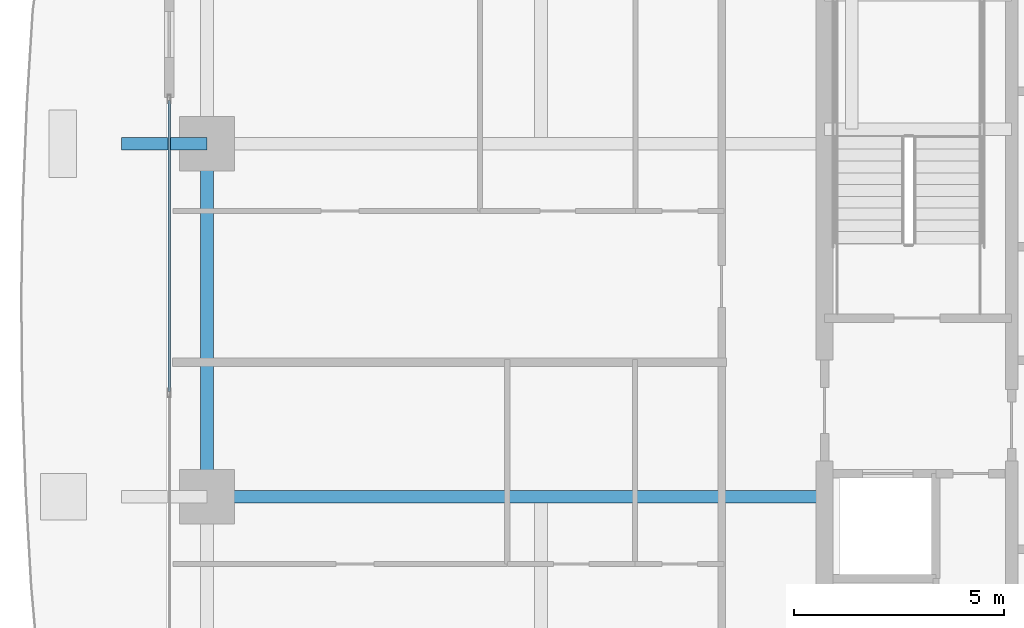
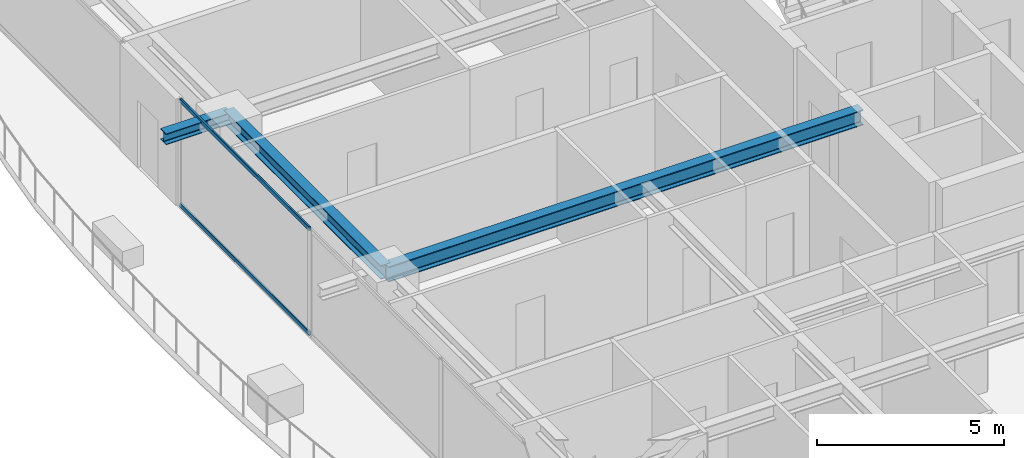
# One storey, part 9 of 37: 3 beams, 2 members, 1 element without a shape of its own.
"""IFC4 building model written with IfcOpenShell, lengths in metres."""

import ifcopenshell
import ifcopenshell.guid

model = None  # the IFC model being written
_history = None  # IfcOwnerHistory: only IFC2X3 demands one
_inside = {}  # id of a spatial element -> (the spatial element, [elements in it])
_under = {}  # id of a project, library or spatial element -> (it, [spatial elements below it])
_declared = {}  # id of a project -> (the project, [libraries it declares])
_typed = {}  # id of a type object -> (the type object, [elements of that type])
_made_of = {}  # id of a material, layer set ... -> (it, [elements and type objects made of it])


def new_model(schema):
    """Start an empty IFC model of exactly this schema.

    Asked for "IFC4X3", IfcOpenShell would pick the latest addendum, in which some entities
    have other attributes; the version numbers below select the first issue.
    IFC2X3 requires an IfcOwnerHistory on every rooted entity: one is made here for all.
    """
    global model, _history
    if schema == "IFC4X3":
        model = ifcopenshell.file(schema_version=(4, 3, 0, 0))
    else:
        model = ifcopenshell.file(schema=schema)
    _inside.clear()
    _under.clear()
    _declared.clear()
    _typed.clear()
    _made_of.clear()
    _history = None
    if model.schema == "IFC2X3":
        org = make("IfcOrganization", Name="unknown")
        user = make(
            "IfcPersonAndOrganization",
            ThePerson=make("IfcPerson", FamilyName="unknown"),
            TheOrganization=org,
        )
        app = make(
            "IfcApplication",
            ApplicationDeveloper=org,
            Version="unknown",
            ApplicationFullName="unknown",
            ApplicationIdentifier="unknown",
        )
        _history = make(
            "IfcOwnerHistory",
            OwningUser=user,
            OwningApplication=app,
            ChangeAction="ADDED",
            CreationDate=0,
        )
    return model


def make(cls, **values):
    """One entity of the class cls with the attributes given. An attribute that is None is left unset."""
    return model.create_entity(
        cls, **{name: value for name, value in values.items() if value is not None}
    )


def rooted(cls, **values):
    """An entity with a GlobalId (a new one), such as an element, a storey or a relation."""
    return make(cls, GlobalId=ifcopenshell.guid.new(), OwnerHistory=_history, **values)


def si_unit(unit_type, name, prefix=None):
    """IfcSIUnit, for example si_unit("LENGTHUNIT", "METRE", prefix="MILLI")."""
    return make("IfcSIUnit", UnitType=unit_type, Prefix=prefix, Name=name)


def assignment(units):
    """IfcUnitAssignment: the units of a project."""
    return None if units is None else make("IfcUnitAssignment", Units=units)


def point(xyz):
    """IfcCartesianPoint."""
    return None if xyz is None else make("IfcCartesianPoint", Coordinates=xyz)


def direction(xyz):
    """IfcDirection."""
    return None if xyz is None else make("IfcDirection", DirectionRatios=xyz)


def frame(location, z_axis=None, x_axis=None):
    """IfcAxis2Placement3D, a coordinate frame: its origin and axes. An axis left out is left unset."""
    return make(
        "IfcAxis2Placement3D",
        Location=point(location),
        Axis=direction(z_axis),
        RefDirection=direction(x_axis),
    )


def frame_2d(location, x_axis=None):
    """IfcAxis2Placement2D, a coordinate frame in the plane: its origin and x axis."""
    return make(
        "IfcAxis2Placement2D", Location=point(location), RefDirection=direction(x_axis)
    )


def origin():
    """The frame at (0, 0, 0) with its axes left unset."""
    return frame((0.0, 0.0, 0.0))


def origin_2d():
    """The frame at (0, 0) in the plane with its x axis left unset."""
    return frame_2d((0.0, 0.0))


def place(relative_to, where):
    """IfcLocalPlacement: puts the frame where relative to a parent placement (None: the world)."""
    return make(
        "IfcLocalPlacement", PlacementRelTo=relative_to, RelativePlacement=where
    )


def context(
    kind, dimensions, precision=None, world=None, true_north=None, identifier=None
):
    """IfcGeometricRepresentationContext, for example the 3D "Model" context."""
    return make(
        "IfcGeometricRepresentationContext",
        ContextIdentifier=identifier,
        ContextType=kind,
        CoordinateSpaceDimension=dimensions,
        Precision=precision,
        WorldCoordinateSystem=world,
        TrueNorth=true_north,
    )


def subcontext(parent, identifier, kind, view, scale=None):
    """IfcGeometricRepresentationSubContext, for example "Body" below "Model"."""
    return make(
        "IfcGeometricRepresentationSubContext",
        ContextIdentifier=identifier,
        ContextType=kind,
        ParentContext=parent,
        TargetScale=scale,
        TargetView=view,
    )


def project(units=None, contexts=None):
    """IfcProject with its units and contexts."""
    return rooted(
        "IfcProject",
        Name="project",
        RepresentationContexts=contexts,
        UnitsInContext=assignment(units),
    )


def spatial(cls, under=None, at=None, **own):
    """A site, building, storey or space (cls), placed at a placement, below another one or the project."""
    s = rooted(cls, ObjectPlacement=at, **own)
    if under is not None:
        _under.setdefault(under.id(), (under, []))[1].append(s)
    return s


def profile(cls, at=None, kind="AREA", **sizes):
    """A parametric profile (cls). Its sizes go by their IFC names, for example OverallWidth=200.0."""
    return make(cls, ProfileType=kind, Position=at, **sizes)


def hollow_rectangle(**sizes):
    """IfcRectangleHollowProfileDef."""
    return profile("IfcRectangleHollowProfileDef", **sizes)


def i_section(**sizes):
    """IfcIShapeProfileDef."""
    return profile("IfcIShapeProfileDef", **sizes)


def extrude(swept, where, along, depth):
    """IfcExtrudedAreaSolid: the profile swept, set in the frame where, extruded along a direction by depth."""
    return make(
        "IfcExtrudedAreaSolid",
        SweptArea=swept,
        Position=where,
        ExtrudedDirection=direction(along),
        Depth=depth,
    )


def shape(context_of_items, identifier, shape_type, items):
    """IfcShapeRepresentation: the items that make up one representation, for example the "Body"."""
    return make(
        "IfcShapeRepresentation",
        ContextOfItems=context_of_items,
        RepresentationIdentifier=identifier,
        RepresentationType=shape_type,
        Items=items,
    )


def source(mapping_origin, context_of_items, identifier, shape_type, items):
    """IfcRepresentationMap: a shape defined once, which mapped items show again and again."""
    return make(
        "IfcRepresentationMap",
        MappingOrigin=mapping_origin,
        MappedRepresentation=shape(context_of_items, identifier, shape_type, items),
    )


def transform(
    local_origin,
    x_axis=None,
    y_axis=None,
    z_axis=None,
    scale=None,
    scale2=None,
    scale3=None,
    uniform=True,
):
    """IfcCartesianTransformationOperator3D, or its non-uniform kind. x_axis, y_axis, z_axis: its Axis1, 2, 3."""
    if uniform:
        return make(
            "IfcCartesianTransformationOperator3D",
            Axis1=direction(x_axis),
            Axis2=direction(y_axis),
            LocalOrigin=point(local_origin),
            Scale=scale,
            Axis3=direction(z_axis),
        )
    return make(
        "IfcCartesianTransformationOperator3DnonUniform",
        Axis1=direction(x_axis),
        Axis2=direction(y_axis),
        LocalOrigin=point(local_origin),
        Scale=scale,
        Axis3=direction(z_axis),
        Scale2=scale2,
        Scale3=scale3,
    )


def mapped(mapping_source, mapping_target):
    """IfcMappedItem: shows the shape of a source again, moved by a transform."""
    return make(
        "IfcMappedItem", MappingSource=mapping_source, MappingTarget=mapping_target
    )


def material(Name=None, Category=None):
    """IfcMaterial."""
    return make("IfcMaterial", Name=Name, Category=Category)


def layer(
    of_material, thickness, ventilated=None, Name=None, Category=None, Priority=None
):
    """IfcMaterialLayer: one layer of a wall or slab, of a material (None: an air gap)."""
    return make(
        "IfcMaterialLayer",
        Material=of_material,
        LayerThickness=thickness,
        IsVentilated=ventilated,
        Name=Name,
        Category=Category,
        Priority=Priority,
    )


def layer_set(layers, Name=None):
    """IfcMaterialLayerSet."""
    return make("IfcMaterialLayerSet", MaterialLayers=layers, LayerSetName=Name)


def material_profile(
    of_material, cross_section, Name=None, Category=None, Priority=None
):
    """IfcMaterialProfile: a cross section and its material."""
    return make(
        "IfcMaterialProfile",
        Name=Name,
        Material=of_material,
        Profile=cross_section,
        Priority=Priority,
        Category=Category,
    )


def profile_set(profiles, Name=None, composite=None):
    """IfcMaterialProfileSet."""
    return make(
        "IfcMaterialProfileSet",
        Name=Name,
        MaterialProfiles=profiles,
        CompositeProfile=composite,
    )


def made_of(thing, what):
    """Note that an element or type object is made of a material, layer set ...; save() writes the relation."""
    if what is not None:
        _made_of.setdefault(what.id(), (what, []))[1].append(thing)
    return thing


def type_object(cls, material=None, **own):
    """A type object (cls), such as IfcWallType, which elements share."""
    return made_of(rooted(cls, **own), material)


def element(
    cls,
    number,
    at=None,
    inside=None,
    cuts=None,
    type_object=None,
    material=None,
    context=None,
    identifier="Body",
    shape_type=None,
    held_by="IfcProductDefinitionShape",
    body=None,
    shapes=None,
    **own,
):
    """One element of the class cls, such as IfcWall. Its Tag is "e" and its number.

    at: its placement. inside: the storey or other place that contains it. cuts: it is an
    opening in that element (IfcRelVoidsElement). A single representation is given by context,
    identifier, shape_type and body (its items); several are given by shapes. held_by: the class
    of the entity that holds the representations. save() writes the other relations.
    """
    e = rooted(cls, Tag="e%d" % number, ObjectPlacement=at, **own)
    if body is not None:
        shapes = [shape(context, identifier, shape_type, body)]
    if shapes is not None:
        e.Representation = make(held_by, Representations=shapes)
    if inside is not None:
        _inside.setdefault(inside.id(), (inside, []))[1].append(e)
    if cuts is not None:
        rooted(
            "IfcRelVoidsElement", RelatingBuildingElement=cuts, RelatedOpeningElement=e
        )
    if type_object is not None:
        _typed.setdefault(type_object.id(), (type_object, []))[1].append(e)
    return made_of(e, material)


def aggregate(whole, parts):
    """IfcRelAggregates: a whole, such as a stair, and the parts it consists of."""
    return rooted("IfcRelAggregates", RelatingObject=whole, RelatedObjects=parts)


def save(model, path):
    """Write the relations noted so far, then the file.

    IfcRelAggregates (storeys below a building ...), IfcRelContainedInSpatialStructure (elements
    in a storey), IfcRelDefinesByType, IfcRelAssociatesMaterial and IfcRelDeclares: one each for
    every whole, place, type object, material and project.
    """
    for whole, parts in _under.values():
        aggregate(whole, parts)
    for where, things in _inside.values():
        rooted(
            "IfcRelContainedInSpatialStructure",
            RelatedElements=things,
            RelatingStructure=where,
        )
    for kind, things in _typed.values():
        rooted("IfcRelDefinesByType", RelatedObjects=things, RelatingType=kind)
    for what, things in _made_of.values():
        rooted("IfcRelAssociatesMaterial", RelatedObjects=things, RelatingMaterial=what)
    for by, libraries in _declared.values():
        rooted("IfcRelDeclares", RelatingContext=by, RelatedDefinitions=libraries)
    model.write(path)


model = new_model("IFC4")

# Units and contexts
model_context = context("Model", 3, precision=1e-05, world=origin(), true_north=direction((0.0, 1.0)))
body_context = subcontext(model_context, "Body", "Model", "MODEL_VIEW")
ifc_project = project(units=[si_unit("LENGTHUNIT", "METRE"), si_unit("AREAUNIT", "SQUARE_METRE"), si_unit("VOLUMEUNIT", "CUBIC_METRE"), si_unit("PLANEANGLEUNIT", "RADIAN"), si_unit("MASSUNIT", "GRAM", prefix="KILO")], contexts=[model_context])

# Site, building, storey
site_placement = place(None, origin())
site = spatial("IfcSite", under=ifc_project, at=site_placement, CompositionType="ELEMENT")
building_placement = place(site_placement, origin())
building = spatial("IfcBuilding", under=site, at=building_placement, Name="Serunith Strait Residences", CompositionType="ELEMENT")
storey_placement = place(building_placement, frame((0.0, 0.0, 127.64990234375)))
storey = spatial("IfcBuildingStorey", under=building, at=storey_placement, Name="L31", CompositionType="ELEMENT", Elevation=127.64990234375)

# Beams
ifc_material_1 = material(Name="Steel S355J2", Category="steel")
ifc_material_profile_1 = material_profile(ifc_material_1, i_section(OverallWidth=0.300048828125, OverallDepth=0.449951171875, WebThickness=0.013916015625, FlangeThickness=0.02587890625, FilletRadius=0.027099609375, at=origin_2d()), Name="HEB 450")
ifc_profile_set_1 = profile_set([ifc_material_profile_1], Name="Steel S355J2")
beam_type_1 = type_object("IfcBeamType", Name="BM-HEB450", PredefinedType="BEAM", material=ifc_profile_set_1)
shared_shape_1 = source(origin(), body_context, "Body", "SweptSolid", [
    extrude(i_section(OverallWidth=0.300048828125, OverallDepth=0.449951171875, WebThickness=0.013916015625, FlangeThickness=0.02587890625, FilletRadius=0.027099609375, at=origin_2d()), origin(), (0.0, 0.0, 1.0), 8.39990234375),
])
beam_1_placement = place(storey_placement, frame((8.699951171875, 29.39990234375, 3.26220703125), z_axis=(0.0, -1.0, 0.0), x_axis=(1.0, 0.0, 0.0)))
element("IfcBeam", 1, at=beam_1_placement, inside=storey, type_object=beam_type_1, Name="L31 Perimeter Ring Beam 14", PredefinedType="BEAM", context=body_context, shape_type="MappedRepresentation", body=[
    mapped(shared_shape_1, transform((0.0, 0.0, 0.0), scale=1.0)),
])
ifc_material_profile_2 = material_profile(ifc_material_1, i_section(OverallWidth=0.300048828125, OverallDepth=0.5, WebThickness=0.014404296875, FlangeThickness=0.028076171875, FilletRadius=0.027099609375, at=origin_2d()), Name="HEB 500")
ifc_profile_set_2 = profile_set([ifc_material_profile_2], Name="Steel S355J2")
beam_type_2 = type_object("IfcBeamType", Name="BM-HEB500", PredefinedType="BEAM", material=ifc_profile_set_2)
shared_shape_2 = source(origin(), body_context, "Body", "SweptSolid", [
    extrude(i_section(OverallWidth=0.300048828125, OverallDepth=0.5, WebThickness=0.014404296875, FlangeThickness=0.028076171875, FilletRadius=0.027099609375, at=origin_2d()), origin(), (0.0, 0.0, 1.0), 14.699951171875),
])
beam_2_placement = place(storey_placement, frame((23.39990234375, 21.0, 3.237060546875), z_axis=(-1.0, 0.0, 0.0), x_axis=(0.0, -1.0, 0.0)))
element("IfcBeam", 2, at=beam_2_placement, inside=storey, type_object=beam_type_2, Name="L31 Primary Floor Girder TC-W2", PredefinedType="BEAM", context=body_context, shape_type="MappedRepresentation", body=[
    mapped(shared_shape_2, transform((0.0, 0.0, 0.0), scale=1.0)),
])
ifc_material_profile_3 = material_profile(ifc_material_1, i_section(OverallWidth=0.300048828125, OverallDepth=0.360107421875, WebThickness=0.012451171875, FlangeThickness=0.0224609375, FilletRadius=0.027099609375, at=origin_2d()), Name="HEB 360")
ifc_profile_set_3 = profile_set([ifc_material_profile_3], Name="Steel S355J2")
beam_type_3 = type_object("IfcBeamType", Name="BM-HEB360", PredefinedType="BEAM", material=ifc_profile_set_3)
shared_shape_3 = source(origin(), body_context, "Body", "SweptSolid", [
    extrude(i_section(OverallWidth=0.300048828125, OverallDepth=0.360107421875, WebThickness=0.012451171875, FlangeThickness=0.0224609375, FilletRadius=0.027099609375, at=origin_2d()), origin(), (0.0, 0.0, 1.0), 2.030029296875),
])
beam_3_placement = place(storey_placement, frame((8.699951171875, 29.39990234375, 3.277099609375), z_axis=(-1.0, 0.0, 0.0), x_axis=(0.0, -1.0, 0.0)))
element("IfcBeam", 3, at=beam_3_placement, inside=storey, type_object=beam_type_3, Name="L32 Cantilevered Balcony Rib TC-W3", PredefinedType="BEAM", context=body_context, shape_type="MappedRepresentation", body=[
    mapped(shared_shape_3, transform((0.0, 0.0, 0.0), scale=1.0)),
])

# Curtain wall, members
ifc_material_2 = material(Name="Pale-Champagne Anodised Aluminium", Category="aluminium")
ifc_layer = layer(ifc_material_2, 0.199951171875, Name="Pale-Champagne Anodised Aluminium")
ifc_layer_set = layer_set([ifc_layer], Name="Pale-Champagne Anodised Aluminium")
curtain_wall_type = type_object("IfcCurtainWallType", Name="CW-SYS2", PredefinedType="NOTDEFINED", material=ifc_layer_set)
curtain_wall_placement = place(storey_placement, origin())
curtain_wall = element("IfcCurtainWall", 4, at=curtain_wall_placement, inside=storey, type_object=curtain_wall_type, Name="L31 W Unitised Fritted Curtain Wall", PredefinedType="NOTDEFINED")
ifc_material_profile_4 = material_profile(ifc_material_2, hollow_rectangle(XDim=0.06005859375, YDim=0.139892578125, WallThickness=0.00341796875, InnerFilletRadius=0.00537109375, OuterFilletRadius=0.0087890625, at=origin_2d()), Name="ALU 140x60x3.5")
ifc_profile_set_4 = profile_set([ifc_material_profile_4], Name="Pale-Champagne Anodised Aluminium")
member_type = type_object("IfcMemberType", Name="CW-SYS2-TRAN", PredefinedType="USERDEFINED", material=ifc_profile_set_4)
shared_shape_4 = source(origin(), body_context, "Body", "SweptSolid", [
    extrude(hollow_rectangle(XDim=0.06005859375, YDim=0.139892578125, WallThickness=0.00341796875, InnerFilletRadius=0.00537109375, OuterFilletRadius=0.0087890625, at=origin_2d()), origin(), (0.0, 0.0, 1.0), 6.92822265625),
])
member_1_placement = place(storey_placement, frame((7.800048828125, 30.429931640625, 0.030029296875), z_axis=(0.0, -1.0, 0.0), x_axis=(1.0, 0.0, 0.0)))
member_1 = element("IfcMember", 5, at=member_1_placement, type_object=member_type, Name="CW-2 transom 1.1", ObjectType="TRANSOM", PredefinedType="USERDEFINED", context=body_context, shape_type="MappedRepresentation", body=[
    mapped(shared_shape_4, transform((0.0, 0.0, 0.0), scale=1.0)),
])
member_2_placement = place(storey_placement, frame((7.800048828125, 30.429931640625, 3.445068359375), z_axis=(0.0, -1.0, 0.0), x_axis=(1.0, 0.0, 0.0)))
member_2 = element("IfcMember", 6, at=member_2_placement, type_object=member_type, Name="CW-2 transom 1.2", ObjectType="TRANSOM", PredefinedType="USERDEFINED", context=body_context, shape_type="MappedRepresentation", body=[
    mapped(shared_shape_4, transform((0.0, 0.0, 0.0), scale=1.0)),
])
aggregate(curtain_wall, [member_1, member_2])

save(model, "model.ifc")
